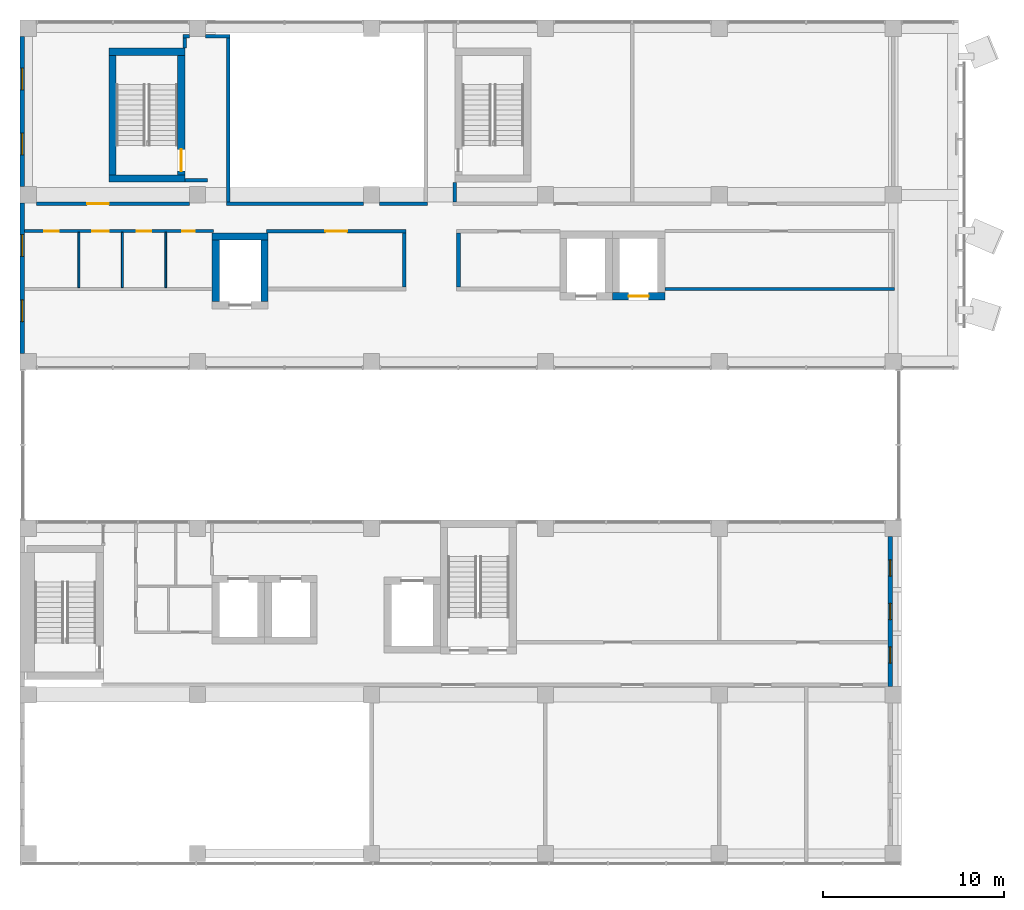
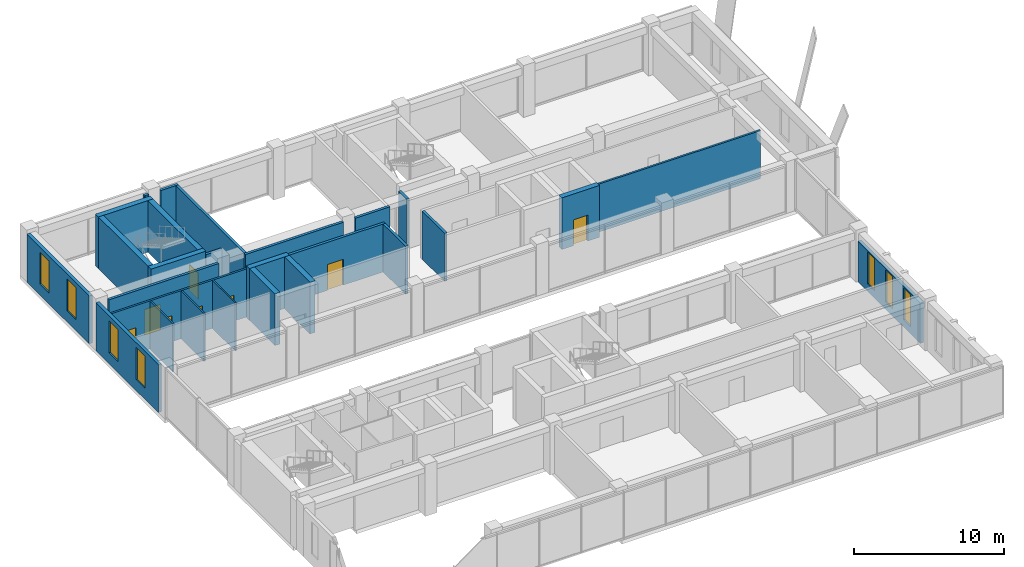
# One storey, part 29 of 37: 28 walls, 8 doors, 7 windows, 15 openings.
"""IFC4 building model written with IfcOpenShell, lengths in metres."""

from ifc_helpers import new_model, si_unit, direction, frame, frame_2d, origin, place, context, subcontext, project, spatial, rectangle, extrude, material, layer, layer_set, layer_usage, type_object, element, fill, save


model = new_model("IFC4")

# Units and contexts
model_context = context("Model", 3, precision=1e-05, world=origin(), true_north=direction((0.0, 1.0)))
body_context = subcontext(model_context, "Body", "Model", "MODEL_VIEW")
ifc_project = project(units=[si_unit("LENGTHUNIT", "METRE"), si_unit("AREAUNIT", "SQUARE_METRE"), si_unit("VOLUMEUNIT", "CUBIC_METRE"), si_unit("PLANEANGLEUNIT", "RADIAN"), si_unit("MASSUNIT", "GRAM", prefix="KILO")], contexts=[model_context])

# Site, building, storey
site_placement = place(None, origin())
site = spatial("IfcSite", under=ifc_project, at=site_placement, CompositionType="ELEMENT")
building_placement = place(site_placement, origin())
building = spatial("IfcBuilding", under=site, at=building_placement, Name="Nzadi Deep Aquarium and Research Tower", CompositionType="ELEMENT")
storey_placement = place(building_placement, frame((0.0, 0.0, 61.300048828125)))
storey = spatial("IfcBuildingStorey", under=building, at=storey_placement, Name="L12", CompositionType="ELEMENT", Elevation=61.300048828125)

# Wall, openings, windows
ifc_material_1 = material(Name="Concrete C35/45", Category="concrete")
ifc_layer_1 = layer(ifc_material_1, 0.14990234375, Category="cladding")
ifc_material_2 = material(Name="Mineral wool insulation")
ifc_layer_2 = layer(ifc_material_2, 0.070068359375, Category="insulation")
ifc_material_3 = material(Name="Gypsum board lining")
ifc_layer_3 = layer(ifc_material_3, 0.030029296875, Category="lining")
ifc_layer_set_1 = layer_set([ifc_layer_1, ifc_layer_2, ifc_layer_3], Name="Concrete C35/45, Mineral wool insulation, Gypsum board lining")
ifc_layer_usage_1 = layer_usage(ifc_layer_set_1, "AXIS2", "POSITIVE", -0.125)
wall_type_1 = type_object("IfcWallType", Name="End wall board-formed concrete 250", PredefinedType="ELEMENTEDWALL", material=ifc_layer_set_1)
wall_1_placement = place(storey_placement, frame((-0.074462890625, 45.550048828125, 0.0), z_axis=(0.0, 0.0, 1.0), x_axis=(0.0, -1.0, 0.0)))
wall_1 = element("IfcWall", 1, at=wall_1_placement, inside=storey, type_object=wall_type_1, material=ifc_layer_usage_1, Name="End wall blade B west L12", PredefinedType="ELEMENTEDWALL", context=body_context, shape_type="SweptSolid", body=[
    extrude(rectangle(XDim=8.300048828125, YDim=0.25, at=frame_2d((4.14990234375, 0.0))), origin(), (0.0, 0.0, 1.0), 3.89990234375),
])
opening_1_placement = place(wall_1_placement, frame((5.35009765625, 0.0, 0.89990234375)))
opening_1 = element("IfcOpeningElement", 2, at=opening_1_placement, cuts=wall_1, Name="Opening WN04", PredefinedType="OPENING", context=body_context, shape_type="SweptSolid", body=[
    extrude(rectangle(XDim=1.199951171875, YDim=2.60009765625, at=frame_2d((0.60009765625, 1.300048828125))), frame((0.0, 0.135009765625, 0.0), z_axis=(0.0, -1.0, 0.0), x_axis=(1.0, 0.0, 0.0)), (0.0, 0.0, 1.0), 0.27001953125),
])
opening_2_placement = place(wall_1_placement, frame((1.75, 0.0, 0.89990234375)))
opening_2 = element("IfcOpeningElement", 3, at=opening_2_placement, cuts=wall_1, Name="Opening WN04", PredefinedType="OPENING", context=body_context, shape_type="SweptSolid", body=[
    extrude(rectangle(XDim=1.199951171875, YDim=2.60009765625, at=frame_2d((0.60009765625, 1.300048828125))), frame((0.0, 0.135009765625, 0.0), z_axis=(0.0, -1.0, 0.0), x_axis=(1.0, 0.0, 0.0)), (0.0, 0.0, 1.0), 0.27001953125),
])
ifc_material_4 = material(Name="Aluminium window, sage tint glazing", Category="aluminium")
window_type_1 = type_object("IfcWindowType", Name="Slot window 1200x2600 sill 900", PartitioningType="SINGLE_PANEL", PredefinedType="WINDOW", material=ifc_material_4)
window_1_placement = place(opening_1_placement, origin())
window_1 = element("IfcWindow", 4, at=window_1_placement, inside=storey, type_object=window_type_1, Name="Slot window L12 BW", OverallHeight=2.60009765625, OverallWidth=1.199951171875, PartitioningType="SINGLE_PANEL", PredefinedType="WINDOW", context=body_context, shape_type="SweptSolid", body=[
    extrude(rectangle(XDim=1.199951171875, YDim=2.60009765625, at=frame_2d((0.60009765625, 1.300048828125))), frame((0.0, 0.030029296875, 0.0), z_axis=(0.0, -1.0, 0.0), x_axis=(1.0, 0.0, 0.0)), (0.0, 0.0, 1.0), 0.06005859375),
])
fill(opening_1, window_1)
window_2_placement = place(opening_2_placement, origin())
window_2 = element("IfcWindow", 5, at=window_2_placement, inside=storey, type_object=window_type_1, Name="Slot window L12 BW", OverallHeight=2.60009765625, OverallWidth=1.199951171875, PartitioningType="SINGLE_PANEL", PredefinedType="WINDOW", context=body_context, shape_type="SweptSolid", body=[
    extrude(rectangle(XDim=1.199951171875, YDim=2.60009765625, at=frame_2d((0.60009765625, 1.300048828125))), frame((0.0, 0.030029296875, 0.0), z_axis=(0.0, -1.0, 0.0), x_axis=(1.0, 0.0, 0.0)), (0.0, 0.0, 1.0), 0.06005859375),
])
fill(opening_2, window_2)

ifc_layer_4 = layer(ifc_material_1, 0.14990234375, Category="cladding")
ifc_layer_5 = layer(ifc_material_2, 0.070068359375, Category="insulation")
ifc_layer_6 = layer(ifc_material_3, 0.030029296875, Category="lining")
ifc_layer_set_2 = layer_set([ifc_layer_4, ifc_layer_5, ifc_layer_6], Name="Concrete C35/45, Mineral wool insulation, Gypsum board lining")
ifc_layer_usage_2 = layer_usage(ifc_layer_set_2, "AXIS2", "POSITIVE", -0.125)
wall_type_2 = type_object("IfcWallType", Name="End wall board-formed concrete 250, 3.30 m high", PredefinedType="ELEMENTEDWALL", material=ifc_layer_set_2)
wall_2_placement = place(storey_placement, frame((47.824951171875, 9.64990234375, 0.0), z_axis=(0.0, 0.0, 1.0), x_axis=(0.0, 1.0, 0.0)))
wall_2 = element("IfcWall", 6, at=wall_2_placement, inside=storey, type_object=wall_type_2, material=ifc_layer_usage_2, Name="End wall blade A east L12", PredefinedType="ELEMENTEDWALL", context=body_context, shape_type="SweptSolid", body=[
    extrude(rectangle(XDim=8.300048828125, YDim=0.25, at=frame_2d((4.14990234375, 0.0))), origin(), (0.0, 0.0, 1.0), 3.300048828125),
])
opening_3_placement = place(wall_2_placement, frame((1.300048828125, 0.0, 0.60009765625)))
opening_3 = element("IfcOpeningElement", 7, at=opening_3_placement, cuts=wall_2, Name="Opening WN03", PredefinedType="OPENING", context=body_context, shape_type="SweptSolid", body=[
    extrude(rectangle(XDim=0.89990234375, YDim=2.60009765625, at=frame_2d((0.449951171875, 1.300048828125))), frame((0.0, 0.135009765625, 0.0), z_axis=(0.0, -1.0, 0.0), x_axis=(1.0, 0.0, 0.0)), (0.0, 0.0, 1.0), 0.27001953125),
])
opening_4_placement = place(wall_2_placement, frame((3.699951171875, 0.0, 0.60009765625)))
opening_4 = element("IfcOpeningElement", 8, at=opening_4_placement, cuts=wall_2, Name="Opening WN03", PredefinedType="OPENING", context=body_context, shape_type="SweptSolid", body=[
    extrude(rectangle(XDim=0.89990234375, YDim=2.60009765625, at=frame_2d((0.449951171875, 1.300048828125))), frame((0.0, 0.135009765625, 0.0), z_axis=(0.0, -1.0, 0.0), x_axis=(1.0, 0.0, 0.0)), (0.0, 0.0, 1.0), 0.27001953125),
])
opening_5_placement = place(wall_2_placement, frame((6.10009765625, 0.0, 0.60009765625)))
opening_5 = element("IfcOpeningElement", 9, at=opening_5_placement, cuts=wall_2, Name="Opening WN03", PredefinedType="OPENING", context=body_context, shape_type="SweptSolid", body=[
    extrude(rectangle(XDim=0.89990234375, YDim=2.60009765625, at=frame_2d((0.449951171875, 1.300048828125))), frame((0.0, 0.135009765625, 0.0), z_axis=(0.0, -1.0, 0.0), x_axis=(1.0, 0.0, 0.0)), (0.0, 0.0, 1.0), 0.27001953125),
])
ifc_material_5 = material(Name="Aluminium window, sage tint glazing", Category="aluminium")
window_type_2 = type_object("IfcWindowType", Name="Slot window 900x2600 sill 600", PartitioningType="SINGLE_PANEL", PredefinedType="WINDOW", material=ifc_material_5)
window_3_placement = place(opening_3_placement, origin())
window_3 = element("IfcWindow", 10, at=window_3_placement, inside=storey, type_object=window_type_2, Name="Slot window L12 AE", OverallHeight=2.60009765625, OverallWidth=0.89990234375, PartitioningType="SINGLE_PANEL", PredefinedType="WINDOW", context=body_context, shape_type="SweptSolid", body=[
    extrude(rectangle(XDim=0.89990234375, YDim=2.60009765625, at=frame_2d((0.449951171875, 1.300048828125))), frame((0.0, 0.030029296875, 0.0), z_axis=(0.0, -1.0, 0.0), x_axis=(1.0, 0.0, 0.0)), (0.0, 0.0, 1.0), 0.06005859375),
])
fill(opening_3, window_3)
window_4_placement = place(opening_4_placement, origin())
window_4 = element("IfcWindow", 11, at=window_4_placement, inside=storey, type_object=window_type_2, Name="Slot window L12 AE", OverallHeight=2.60009765625, OverallWidth=0.89990234375, PartitioningType="SINGLE_PANEL", PredefinedType="WINDOW", context=body_context, shape_type="SweptSolid", body=[
    extrude(rectangle(XDim=0.89990234375, YDim=2.60009765625, at=frame_2d((0.449951171875, 1.300048828125))), frame((0.0, 0.030029296875, 0.0), z_axis=(0.0, -1.0, 0.0), x_axis=(1.0, 0.0, 0.0)), (0.0, 0.0, 1.0), 0.06005859375),
])
fill(opening_4, window_4)
window_5_placement = place(opening_5_placement, origin())
window_5 = element("IfcWindow", 12, at=window_5_placement, inside=storey, type_object=window_type_2, Name="Slot window L12 AE", OverallHeight=2.60009765625, OverallWidth=0.89990234375, PartitioningType="SINGLE_PANEL", PredefinedType="WINDOW", context=body_context, shape_type="SweptSolid", body=[
    extrude(rectangle(XDim=0.89990234375, YDim=2.60009765625, at=frame_2d((0.449951171875, 1.300048828125))), frame((0.0, 0.030029296875, 0.0), z_axis=(0.0, -1.0, 0.0), x_axis=(1.0, 0.0, 0.0)), (0.0, 0.0, 1.0), 0.06005859375),
])
fill(opening_5, window_5)

ifc_material_6 = material(Name="Graphite aluminium shingle", Category="aluminium")
ifc_layer_7 = layer(ifc_material_6, 0.050048828125, Category="cladding")
ifc_layer_8 = layer(ifc_material_1, 0.10009765625, Category="cladding")
ifc_layer_9 = layer(ifc_material_2, 0.070068359375, Category="insulation")
ifc_layer_10 = layer(ifc_material_3, 0.030029296875, Category="lining")
ifc_layer_set_3 = layer_set([ifc_layer_7, ifc_layer_8, ifc_layer_9, ifc_layer_10], Name="Graphite aluminium shingle, Concrete C35/45, Mineral wool insulation, Gypsum board lining")
ifc_layer_usage_3 = layer_usage(ifc_layer_set_3, "AXIS2", "POSITIVE", -0.125)
wall_type_3 = type_object("IfcWallType", Name="End wall shingle over board-formed concrete 250", PredefinedType="ELEMENTEDWALL", material=ifc_layer_set_3)
wall_3_placement = place(storey_placement, frame((-0.074462890625, 36.35009765625, 0.0), z_axis=(0.0, 0.0, 1.0), x_axis=(0.0, -1.0, 0.0)))
wall_3 = element("IfcWall", 13, at=wall_3_placement, inside=storey, type_object=wall_type_3, material=ifc_layer_usage_3, Name="End wall blade B west L12", PredefinedType="ELEMENTEDWALL", context=body_context, shape_type="SweptSolid", body=[
    extrude(rectangle(XDim=8.300048828125, YDim=0.25, at=frame_2d((4.14990234375, 0.0))), origin(), (0.0, 0.0, 1.0), 3.89990234375),
])
opening_6_placement = place(wall_3_placement, frame((5.35009765625, 0.0, 0.89990234375)))
opening_6 = element("IfcOpeningElement", 14, at=opening_6_placement, cuts=wall_3, Name="Opening WN04", PredefinedType="OPENING", context=body_context, shape_type="SweptSolid", body=[
    extrude(rectangle(XDim=1.199951171875, YDim=2.60009765625, at=frame_2d((0.60009765625, 1.300048828125))), frame((0.0, 0.135009765625, 0.0), z_axis=(0.0, -1.0, 0.0), x_axis=(1.0, 0.0, 0.0)), (0.0, 0.0, 1.0), 0.27001953125),
])
opening_7_placement = place(wall_3_placement, frame((1.75, 0.0, 0.89990234375)))
opening_7 = element("IfcOpeningElement", 15, at=opening_7_placement, cuts=wall_3, Name="Opening WN04", PredefinedType="OPENING", context=body_context, shape_type="SweptSolid", body=[
    extrude(rectangle(XDim=1.199951171875, YDim=2.60009765625, at=frame_2d((0.60009765625, 1.300048828125))), frame((0.0, 0.135009765625, 0.0), z_axis=(0.0, -1.0, 0.0), x_axis=(1.0, 0.0, 0.0)), (0.0, 0.0, 1.0), 0.27001953125),
])
window_6_placement = place(opening_6_placement, origin())
window_6 = element("IfcWindow", 16, at=window_6_placement, inside=storey, type_object=window_type_1, Name="Slot window L12 BW", OverallHeight=2.60009765625, OverallWidth=1.199951171875, PartitioningType="SINGLE_PANEL", PredefinedType="WINDOW", context=body_context, shape_type="SweptSolid", body=[
    extrude(rectangle(XDim=1.199951171875, YDim=2.60009765625, at=frame_2d((0.60009765625, 1.300048828125))), frame((0.0, 0.030029296875, 0.0), z_axis=(0.0, -1.0, 0.0), x_axis=(1.0, 0.0, 0.0)), (0.0, 0.0, 1.0), 0.06005859375),
])
fill(opening_6, window_6)
window_7_placement = place(opening_7_placement, origin())
window_7 = element("IfcWindow", 17, at=window_7_placement, inside=storey, type_object=window_type_1, Name="Slot window L12 BW", OverallHeight=2.60009765625, OverallWidth=1.199951171875, PartitioningType="SINGLE_PANEL", PredefinedType="WINDOW", context=body_context, shape_type="SweptSolid", body=[
    extrude(rectangle(XDim=1.199951171875, YDim=2.60009765625, at=frame_2d((0.60009765625, 1.300048828125))), frame((0.0, 0.030029296875, 0.0), z_axis=(0.0, -1.0, 0.0), x_axis=(1.0, 0.0, 0.0)), (0.0, 0.0, 1.0), 0.06005859375),
])
fill(opening_7, window_7)

# Walls
ifc_material_7 = material(Name="Blockwork masonry", Category="masonry")
ifc_layer_11 = layer(ifc_material_7, 0.10009765625)
ifc_layer_set_4 = layer_set([ifc_layer_11], Name="Blockwork masonry")
wall_type_4 = type_object("IfcWallType", Name="Partition 100 EI 30", PredefinedType="PARTITIONING", material=ifc_layer_set_4)
for number, where, z_axis, x_axis, name in (
    (18, (3.050048828125, 31.675048828125, 0.0), (0.0, 0.0, 1.0), (0.0, 1.0, 0.0), "W-Z1-L12-P004"),
    (19, (5.449951171875, 31.675048828125, 0.0), (0.0, 0.0, 1.0), (0.0, 1.0, 0.0), "W-Z1-L12-P007"),
    (20, (7.85009765625, 31.675048828125, 0.0), (0.0, 0.0, 1.0), (0.0, 1.0, 0.0), "W-Z1-L12-P011"),
):
    element("IfcWall", number, at=place(storey_placement, frame(where, z_axis=z_axis, x_axis=x_axis)), inside=storey, type_object=wall_type_4, Name=name, PredefinedType="PARTITIONING", context=body_context, shape_type="SweptSolid", body=[
        extrude(rectangle(XDim=3.050048828125, YDim=0.10009765625, at=frame_2d((1.52490234375, 0.0))), origin(), (0.0, 0.0, 1.0), 3.89990234375),
    ])

# Wall, openings, doors
ifc_material_8 = material(Name="Blockwork masonry", Category="masonry")
ifc_layer_12 = layer(ifc_material_8, 0.14990234375)
ifc_layer_set_5 = layer_set([ifc_layer_12], Name="Blockwork masonry")
wall_type_5 = type_object("IfcWallType", Name="Partition 150 EI 60", PredefinedType="PARTITIONING", material=ifc_layer_set_5)
wall_4_placement = place(storey_placement, frame((0.055908203125, 34.800048828125, 0.0), z_axis=(0.0, 0.0, 1.0), x_axis=(1.0, 0.0, 0.0)))
wall_4 = element("IfcWall", 21, at=wall_4_placement, inside=storey, type_object=wall_type_5, Name="W-Z1-L12-P002", PredefinedType="PARTITIONING", context=body_context, shape_type="SweptSolid", body=[
    extrude(rectangle(XDim=10.419189453125, YDim=0.14990234375, at=frame_2d((5.20947265625, 0.0))), origin(), (0.0, 0.0, 1.0), 3.89990234375),
])
opening_8_placement = place(wall_4_placement, frame((1.093994140625, 0.0, 0.0)))
opening_8 = element("IfcOpeningElement", 22, at=opening_8_placement, cuts=wall_4, Name="Opening D131012", PredefinedType="OPENING", context=body_context, shape_type="SweptSolid", body=[
    extrude(rectangle(XDim=0.800048828125, YDim=2.10009765625, at=frame_2d((0.39990234375, 1.050048828125))), frame((0.0, 0.0849609375, 0.0), z_axis=(0.0, -1.0, 0.0), x_axis=(1.0, 0.0, 0.0)), (0.0, 0.0, 1.0), 0.169921875),
])
opening_9_placement = place(wall_4_placement, frame((3.743896484375, 0.0, 0.0)))
opening_9 = element("IfcOpeningElement", 23, at=opening_9_placement, cuts=wall_4, Name="Opening D131013", PredefinedType="OPENING", context=body_context, shape_type="SweptSolid", body=[
    extrude(rectangle(XDim=0.89990234375, YDim=2.10009765625, at=frame_2d((0.449951171875, 1.050048828125))), frame((0.0, 0.0849609375, 0.0), z_axis=(0.0, -1.0, 0.0), x_axis=(1.0, 0.0, 0.0)), (0.0, 0.0, 1.0), 0.169921875),
])
opening_10_placement = place(wall_4_placement, frame((6.194091796875, 0.0, 0.0)))
opening_10 = element("IfcOpeningElement", 24, at=opening_10_placement, cuts=wall_4, Name="Opening D131014", PredefinedType="OPENING", context=body_context, shape_type="SweptSolid", body=[
    extrude(rectangle(XDim=0.800048828125, YDim=2.10009765625, at=frame_2d((0.39990234375, 1.050048828125))), frame((0.0, 0.0849609375, 0.0), z_axis=(0.0, -1.0, 0.0), x_axis=(1.0, 0.0, 0.0)), (0.0, 0.0, 1.0), 0.169921875),
])
opening_11_placement = place(wall_4_placement, frame((8.694091796875, 0.0, 0.0)))
opening_11 = element("IfcOpeningElement", 25, at=opening_11_placement, cuts=wall_4, Name="Opening D131015", PredefinedType="OPENING", context=body_context, shape_type="SweptSolid", body=[
    extrude(rectangle(XDim=0.699951171875, YDim=2.10009765625, at=frame_2d((0.35009765625, 1.050048828125))), frame((0.0, 0.0849609375, 0.0), z_axis=(0.0, -1.0, 0.0), x_axis=(1.0, 0.0, 0.0)), (0.0, 0.0, 1.0), 0.169921875),
])
ifc_material_9 = material(Name="Fire-rated steel door", Category="steel")
ifc_layer_13 = layer(ifc_material_9, 0.050048828125)
ifc_layer_set_6 = layer_set([ifc_layer_13], Name="Fire-rated steel door")
door_type_1 = type_object("IfcDoorType", Name="Door 700x2100 EI 60 single", OperationType="SINGLE_SWING_LEFT", PredefinedType="DOOR", material=ifc_layer_set_6)
door_1_placement = place(opening_11_placement, origin())
door_1 = element("IfcDoor", 26, at=door_1_placement, inside=storey, type_object=door_type_1, Name="D131015", OperationType="SINGLE_SWING_LEFT", OverallHeight=2.10009765625, OverallWidth=0.699951171875, PredefinedType="DOOR", context=body_context, shape_type="SweptSolid", body=[
    extrude(rectangle(XDim=0.699951171875, YDim=2.10009765625, at=frame_2d((0.35009765625, 1.050048828125))), frame((0.0, 0.02490234375, 0.0), z_axis=(0.0, -1.0, 0.0), x_axis=(1.0, 0.0, 0.0)), (0.0, 0.0, 1.0), 0.050048828125),
])
fill(opening_11, door_1)
ifc_material_10 = material(Name="Fire-rated steel door", Category="steel")
ifc_layer_14 = layer(ifc_material_10, 0.050048828125)
ifc_layer_set_7 = layer_set([ifc_layer_14], Name="Fire-rated steel door")
door_type_2 = type_object("IfcDoorType", Name="Door 800x2100 EI 60 single", OperationType="SINGLE_SWING_LEFT", PredefinedType="DOOR", material=ifc_layer_set_7)
door_2_placement = place(opening_8_placement, origin())
door_2 = element("IfcDoor", 27, at=door_2_placement, inside=storey, type_object=door_type_2, Name="D131012", OperationType="SINGLE_SWING_RIGHT", OverallHeight=2.10009765625, OverallWidth=0.800048828125, PredefinedType="DOOR", context=body_context, shape_type="SweptSolid", body=[
    extrude(rectangle(XDim=0.800048828125, YDim=2.10009765625, at=frame_2d((0.39990234375, 1.050048828125))), frame((0.0, 0.02490234375, 0.0), z_axis=(0.0, -1.0, 0.0), x_axis=(1.0, 0.0, 0.0)), (0.0, 0.0, 1.0), 0.050048828125),
])
fill(opening_8, door_2)
door_3_placement = place(opening_10_placement, origin())
door_3 = element("IfcDoor", 28, at=door_3_placement, inside=storey, type_object=door_type_2, Name="D131014", OperationType="SINGLE_SWING_RIGHT", OverallHeight=2.10009765625, OverallWidth=0.800048828125, PredefinedType="DOOR", context=body_context, shape_type="SweptSolid", body=[
    extrude(rectangle(XDim=0.800048828125, YDim=2.10009765625, at=frame_2d((0.39990234375, 1.050048828125))), frame((0.0, 0.02490234375, 0.0), z_axis=(0.0, -1.0, 0.0), x_axis=(1.0, 0.0, 0.0)), (0.0, 0.0, 1.0), 0.050048828125),
])
fill(opening_10, door_3)
ifc_material_11 = material(Name="Fire-rated steel door", Category="steel")
ifc_layer_15 = layer(ifc_material_11, 0.050048828125)
ifc_layer_set_8 = layer_set([ifc_layer_15], Name="Fire-rated steel door")
door_type_3 = type_object("IfcDoorType", Name="Door 900x2100 EI 60 single", OperationType="SINGLE_SWING_LEFT", PredefinedType="DOOR", material=ifc_layer_set_8)
door_4_placement = place(opening_9_placement, origin())
door_4 = element("IfcDoor", 29, at=door_4_placement, inside=storey, type_object=door_type_3, Name="D131013", OperationType="SINGLE_SWING_LEFT", OverallHeight=2.10009765625, OverallWidth=0.89990234375, PredefinedType="DOOR", context=body_context, shape_type="SweptSolid", body=[
    extrude(rectangle(XDim=0.89990234375, YDim=2.10009765625, at=frame_2d((0.449951171875, 1.050048828125))), frame((0.0, 0.02490234375, 0.0), z_axis=(0.0, -1.0, 0.0), x_axis=(1.0, 0.0, 0.0)), (0.0, 0.0, 1.0), 0.050048828125),
])
fill(opening_9, door_4)

# Wall
wall_5_placement = place(storey_placement, frame((35.406005859375, 31.60009765625, 0.0), z_axis=(0.0, 0.0, 1.0), x_axis=(1.0, 0.0, 0.0)))
element("IfcWall", 30, at=wall_5_placement, inside=storey, type_object=wall_type_5, Name="W-Z1-L12-P037", PredefinedType="PARTITIONING", context=body_context, shape_type="SweptSolid", body=[
    extrude(rectangle(XDim=12.6689453125, YDim=0.14990234375, at=frame_2d((6.33447265625, 0.0))), origin(), (0.0, 0.0, 1.0), 3.89990234375),
])

# Wall, opening, door
ifc_material_12 = material(Name="Blockwork masonry", Category="masonry")
ifc_layer_16 = layer(ifc_material_12, 0.199951171875)
ifc_layer_set_9 = layer_set([ifc_layer_16], Name="Blockwork masonry")
wall_type_6 = type_object("IfcWallType", Name="Partition 200 EI 120", PredefinedType="PARTITIONING", material=ifc_layer_set_9)
wall_6_placement = place(storey_placement, frame((0.699951171875, 36.300048828125, 0.0), z_axis=(0.0, 0.0, 1.0), x_axis=(1.0, 0.0, 0.0)))
wall_6 = element("IfcWall", 31, at=wall_6_placement, inside=storey, type_object=wall_type_6, Name="W-Z1-L12-P003", PredefinedType="PARTITIONING", context=body_context, shape_type="SweptSolid", body=[
    extrude(rectangle(XDim=8.449951171875, YDim=0.199951171875, at=frame_2d((4.22509765625, 0.0))), origin(), (0.0, 0.0, 1.0), 3.89990234375),
])
opening_12_placement = place(wall_6_placement, frame((2.800048828125, 0.0, 0.0)))
opening_12 = element("IfcOpeningElement", 32, at=opening_12_placement, cuts=wall_6, Name="Opening D131019", PredefinedType="OPENING", context=body_context, shape_type="SweptSolid", body=[
    extrude(rectangle(XDim=1.199951171875, YDim=2.10009765625, at=frame_2d((0.60009765625, 1.050048828125))), frame((0.0, 0.110107421875, 0.0), z_axis=(0.0, -1.0, 0.0), x_axis=(1.0, 0.0, 0.0)), (0.0, 0.0, 1.0), 0.22021484375),
])
ifc_material_13 = material(Name="Fire-rated steel door", Category="steel")
ifc_layer_17 = layer(ifc_material_13, 0.050048828125)
ifc_layer_set_10 = layer_set([ifc_layer_17], Name="Fire-rated steel door")
door_type_4 = type_object("IfcDoorType", Name="Door 1200x2100 EI 120 single", OperationType="SINGLE_SWING_LEFT", PredefinedType="DOOR", material=ifc_layer_set_10)
door_5_placement = place(opening_12_placement, origin())
door_5 = element("IfcDoor", 33, at=door_5_placement, inside=storey, type_object=door_type_4, Name="D131019", OperationType="SINGLE_SWING_RIGHT", OverallHeight=2.10009765625, OverallWidth=1.199951171875, PredefinedType="DOOR", context=body_context, shape_type="SweptSolid", body=[
    extrude(rectangle(XDim=1.199951171875, YDim=2.10009765625, at=frame_2d((0.60009765625, 1.050048828125))), frame((0.0, 0.02490234375, 0.0), z_axis=(0.0, -1.0, 0.0), x_axis=(1.0, 0.0, 0.0)), (0.0, 0.0, 1.0), 0.050048828125),
])
fill(opening_12, door_5)

# Walls
wall_7_placement = place(storey_placement, frame((8.89990234375, 44.906005859375, 0.0), z_axis=(0.0, 0.0, 1.0), x_axis=(0.0, 1.0, 0.0)))
element("IfcWall", 34, at=wall_7_placement, inside=storey, type_object=wall_type_6, Name="W-Z1-L12-P014", PredefinedType="PARTITIONING", context=body_context, shape_type="SweptSolid", body=[
    extrude(rectangle(XDim=0.5439453125, YDim=0.199951171875, at=frame_2d((0.27197265625, 0.0))), origin(), (0.0, 0.0, 1.0), 3.89990234375),
])
wall_8_placement = place(storey_placement, frame((8.800048828125, 45.550048828125, 0.0), z_axis=(0.0, 0.0, 1.0), x_axis=(1.0, 0.0, 0.0)))
element("IfcWall", 35, at=wall_8_placement, inside=storey, type_object=wall_type_6, Name="W-Z1-L12-P015", PredefinedType="PARTITIONING", context=body_context, shape_type="SweptSolid", body=[
    extrude(rectangle(XDim=0.349853515625, YDim=0.199951171875, at=frame_2d((0.1748046875, 0.0))), origin(), (0.0, 0.0, 1.0), 3.89990234375),
])
wall_9_placement = place(storey_placement, frame((8.906005859375, 37.60009765625, 0.0), z_axis=(0.0, 0.0, 1.0), x_axis=(1.0, 0.0, 0.0)))
element("IfcWall", 36, at=wall_9_placement, inside=storey, type_object=wall_type_6, Name="W-Z1-L12-P016", PredefinedType="PARTITIONING", context=body_context, shape_type="SweptSolid", body=[
    extrude(rectangle(XDim=1.243896484375, YDim=0.199951171875, at=frame_2d((0.6220703125, 0.0))), origin(), (0.0, 0.0, 1.0), 3.89990234375),
])
wall_10_placement = place(storey_placement, frame((10.050048828125, 45.550048828125, 0.0), z_axis=(0.0, 0.0, 1.0), x_axis=(1.0, 0.0, 0.0)))
element("IfcWall", 37, at=wall_10_placement, inside=storey, type_object=wall_type_6, Name="W-Z1-L12-P017", PredefinedType="PARTITIONING", context=body_context, shape_type="SweptSolid", body=[
    extrude(rectangle(XDim=1.349853515625, YDim=0.199951171875, at=frame_2d((0.6748046875, 0.0))), origin(), (0.0, 0.0, 1.0), 3.89990234375),
])
wall_11_placement = place(storey_placement, frame((11.199951171875, 36.300048828125, 0.0), z_axis=(0.0, 0.0, 1.0), x_axis=(1.0, 0.0, 0.0)))
element("IfcWall", 38, at=wall_11_placement, inside=storey, type_object=wall_type_6, Name="W-Z1-L12-P019", PredefinedType="PARTITIONING", context=body_context, shape_type="SweptSolid", body=[
    extrude(rectangle(XDim=7.550048828125, YDim=0.199951171875, at=frame_2d((3.77490234375, 0.0))), origin(), (0.0, 0.0, 1.0), 3.89990234375),
])
wall_12_placement = place(storey_placement, frame((11.300048828125, 36.39990234375, 0.0), z_axis=(0.0, 0.0, 1.0), x_axis=(0.0, 1.0, 0.0)))
element("IfcWall", 39, at=wall_12_placement, inside=storey, type_object=wall_type_6, Name="W-Z1-L12-P020", PredefinedType="PARTITIONING", context=body_context, shape_type="SweptSolid", body=[
    extrude(rectangle(XDim=9.050048828125, YDim=0.199951171875, at=frame_2d((4.52490234375, 0.0))), origin(), (0.0, 0.0, 1.0), 3.89990234375),
])

# Wall, opening, door
wall_13_placement = place(storey_placement, frame((13.39990234375, 34.800048828125, 0.0), z_axis=(0.0, 0.0, 1.0), x_axis=(1.0, 0.0, 0.0)))
wall_13 = element("IfcWall", 40, at=wall_13_placement, inside=storey, type_object=wall_type_6, Name="W-Z1-L12-P021", PredefinedType="PARTITIONING", context=body_context, shape_type="SweptSolid", body=[
    extrude(rectangle(XDim=7.7001953125, YDim=0.199951171875, at=frame_2d((3.85009765625, 0.0))), origin(), (0.0, 0.0, 1.0), 3.89990234375),
])
opening_13_placement = place(wall_13_placement, frame((3.25, 0.0, 0.0)))
opening_13 = element("IfcOpeningElement", 41, at=opening_13_placement, cuts=wall_13, Name="Opening D131016", PredefinedType="OPENING", context=body_context, shape_type="SweptSolid", body=[
    extrude(rectangle(XDim=1.199951171875, YDim=2.10009765625, at=frame_2d((0.60009765625, 1.050048828125))), frame((0.0, 0.110107421875, 0.0), z_axis=(0.0, -1.0, 0.0), x_axis=(1.0, 0.0, 0.0)), (0.0, 0.0, 1.0), 0.22021484375),
])
door_6_placement = place(opening_13_placement, origin())
door_6 = element("IfcDoor", 42, at=door_6_placement, inside=storey, type_object=door_type_4, Name="D131016", OperationType="SINGLE_SWING_RIGHT", OverallHeight=2.10009765625, OverallWidth=1.199951171875, PredefinedType="DOOR", context=body_context, shape_type="SweptSolid", body=[
    extrude(rectangle(XDim=1.199951171875, YDim=2.10009765625, at=frame_2d((0.60009765625, 1.050048828125))), frame((0.0, 0.02490234375, 0.0), z_axis=(0.0, -1.0, 0.0), x_axis=(1.0, 0.0, 0.0)), (0.0, 0.0, 1.0), 0.050048828125),
])
fill(opening_13, door_6)

# Walls
wall_14_placement = place(storey_placement, frame((19.64990234375, 36.300048828125, 0.0), z_axis=(0.0, 0.0, 1.0), x_axis=(1.0, 0.0, 0.0)))
element("IfcWall", 43, at=wall_14_placement, inside=storey, type_object=wall_type_6, Name="W-Z1-L12-P024", PredefinedType="PARTITIONING", context=body_context, shape_type="SweptSolid", body=[
    extrude(rectangle(XDim=2.650146484375, YDim=0.199951171875, at=frame_2d((1.3251953125, 0.0))), origin(), (0.0, 0.0, 1.0), 3.89990234375),
])
wall_15_placement = place(storey_placement, frame((21.0, 31.699951171875, 0.0), z_axis=(0.0, 0.0, 1.0), x_axis=(0.0, 1.0, 0.0)))
element("IfcWall", 44, at=wall_15_placement, inside=storey, type_object=wall_type_6, Name="W-Z1-L12-P025", PredefinedType="PARTITIONING", context=body_context, shape_type="SweptSolid", body=[
    extrude(rectangle(XDim=3.0, YDim=0.199951171875, at=frame_2d((1.5, 0.0))), origin(), (0.0, 0.0, 1.0), 3.89990234375),
])
wall_16_placement = place(storey_placement, frame((23.800048828125, 36.39990234375, 0.0), z_axis=(0.0, 0.0, 1.0), x_axis=(0.0, 1.0, 0.0)))
element("IfcWall", 45, at=wall_16_placement, inside=storey, type_object=wall_type_6, Name="W-Z1-L12-P028", PredefinedType="PARTITIONING", context=body_context, shape_type="SweptSolid", body=[
    extrude(rectangle(XDim=1.093994140625, YDim=0.199951171875, at=frame_2d((0.546875, 0.0))), origin(), (0.0, 0.0, 1.0), 3.89990234375),
])
wall_17_placement = place(storey_placement, frame((24.0, 31.699951171875, 0.0), z_axis=(0.0, 0.0, 1.0), x_axis=(0.0, 1.0, 0.0)))
element("IfcWall", 46, at=wall_17_placement, inside=storey, type_object=wall_type_6, Name="W-Z1-L12-P031", PredefinedType="PARTITIONING", context=body_context, shape_type="SweptSolid", body=[
    extrude(rectangle(XDim=3.0, YDim=0.199951171875, at=frame_2d((1.5, 0.0))), origin(), (0.0, 0.0, 1.0), 3.89990234375),
])
ifc_material_14 = material(Name="Concrete C35/45", Category="concrete")
ifc_layer_18 = layer(ifc_material_14, 0.39990234375)
ifc_layer_set_11 = layer_set([ifc_layer_18], Name="Concrete C35/45")
wall_type_7 = type_object("IfcWallType", Name="RC core wall 400", PredefinedType="SHEAR", material=ifc_layer_set_11)
for number, where, z_axis, x_axis, name in (
    (47, (4.699951171875, 37.699951171875, 0.0), (0.0, 0.0, 1.0), (1.0, 0.0, 0.0), "W-CORE-ST-Z1-NW-L12-S"),
    (48, (4.699951171875, 44.699951171875, 0.0), (0.0, 0.0, 1.0), (1.0, 0.0, 0.0), "W-CORE-ST-Z1-NW-L12-N"),
):
    element("IfcWall", number, at=place(storey_placement, frame(where, z_axis=z_axis, x_axis=x_axis)), inside=storey, type_object=wall_type_7, Name=name, PredefinedType="SHEAR", context=body_context, shape_type="SweptSolid", body=[
        extrude(rectangle(XDim=4.199951171875, YDim=0.39990234375, at=frame_2d((2.10009765625, 0.0))), origin(), (0.0, 0.0, 1.0), 4.199951171875),
    ])
wall_18_placement = place(storey_placement, frame((4.89990234375, 37.89990234375, 0.0), z_axis=(0.0, 0.0, 1.0), x_axis=(0.0, 1.0, 0.0)))
element("IfcWall", 49, at=wall_18_placement, inside=storey, type_object=wall_type_7, Name="W-CORE-ST-Z1-NW-L12-W", PredefinedType="SHEAR", context=body_context, shape_type="SweptSolid", body=[
    extrude(rectangle(XDim=6.60009765625, YDim=0.39990234375, at=frame_2d((3.300048828125, 0.0))), origin(), (0.0, 0.0, 1.0), 4.199951171875),
])

# Wall, opening, door
wall_19_placement = place(storey_placement, frame((8.699951171875, 37.89990234375, 0.0), z_axis=(0.0, 0.0, 1.0), x_axis=(0.0, 1.0, 0.0)))
wall_19 = element("IfcWall", 50, at=wall_19_placement, inside=storey, type_object=wall_type_7, Name="W-CORE-ST-Z1-NW-L12-E", PredefinedType="SHEAR", context=body_context, shape_type="SweptSolid", body=[
    extrude(rectangle(XDim=6.60009765625, YDim=0.39990234375, at=frame_2d((3.300048828125, 0.0))), origin(), (0.0, 0.0, 1.0), 4.199951171875),
])
opening_14_placement = place(wall_19_placement, frame((0.2099609375, 0.0, 0.0)))
opening_14 = element("IfcOpeningElement", 51, at=opening_14_placement, cuts=wall_19, Name="Opening DS-Z1-NW-L12", PredefinedType="OPENING", context=body_context, shape_type="SweptSolid", body=[
    extrude(rectangle(XDim=1.199951171875, YDim=2.10009765625, at=frame_2d((0.60009765625, 1.050048828125))), frame((0.0, 0.2099609375, 0.0), z_axis=(0.0, -1.0, 0.0), x_axis=(1.0, 0.0, 0.0)), (0.0, 0.0, 1.0), 0.419921875),
])
ifc_material_15 = material(Name="Steel, powder coated", Category="steel")
door_type_5 = type_object("IfcDoorType", Name="STAIR DOOR 1200x2100 EI 60", OperationType="SINGLE_SWING_LEFT", PredefinedType="DOOR", material=ifc_material_15)
door_7_placement = place(opening_14_placement, origin())
door_7 = element("IfcDoor", 52, at=door_7_placement, inside=storey, type_object=door_type_5, Name="Stair door ST-Z1-NW L12", OperationType="SINGLE_SWING_RIGHT", OverallHeight=2.10009765625, OverallWidth=1.199951171875, PredefinedType="DOOR", context=body_context, shape_type="SweptSolid", body=[
    extrude(rectangle(XDim=1.199951171875, YDim=2.10009765625, at=frame_2d((0.60009765625, 1.050048828125))), frame((0.0, 0.02490234375, 0.0), z_axis=(0.0, -1.0, 0.0), x_axis=(1.0, 0.0, 0.0)), (0.0, 0.0, 1.0), 0.050048828125),
])
fill(opening_14, door_7)

# Walls
wall_20_placement = place(storey_placement, frame((10.39990234375, 34.5, 0.0), z_axis=(0.0, 0.0, 1.0), x_axis=(1.0, 0.0, 0.0)))
element("IfcWall", 53, at=wall_20_placement, inside=storey, type_object=wall_type_7, Name="W-CORE-FL2-L12-N", PredefinedType="SHEAR", context=body_context, shape_type="SweptSolid", body=[
    extrude(rectangle(XDim=3.10009765625, YDim=0.39990234375, at=frame_2d((1.550048828125, 0.0))), origin(), (0.0, 0.0, 1.0), 4.199951171875),
])
for number, where, z_axis, x_axis, name in (
    (54, (10.60009765625, 30.89990234375, 0.0), (0.0, 0.0, 1.0), (0.0, 1.0, 0.0), "W-CORE-FL2-L12-W"),
    (55, (13.300048828125, 30.89990234375, 0.0), (0.0, 0.0, 1.0), (0.0, 1.0, 0.0), "W-CORE-FL2-L12-E"),
):
    element("IfcWall", number, at=place(storey_placement, frame(where, z_axis=z_axis, x_axis=x_axis)), inside=storey, type_object=wall_type_7, Name=name, PredefinedType="SHEAR", context=body_context, shape_type="SweptSolid", body=[
        extrude(rectangle(XDim=3.400146484375, YDim=0.39990234375, at=frame_2d((1.7001953125, 0.0))), origin(), (0.0, 0.0, 1.0), 4.199951171875),
    ])

# Wall, opening, door
wall_21_placement = place(storey_placement, frame((32.5, 31.199951171875, 0.0), z_axis=(0.0, 0.0, 1.0), x_axis=(1.0, 0.0, 0.0)))
wall_21 = element("IfcWall", 56, at=wall_21_placement, inside=storey, type_object=wall_type_7, Name="W-CORE-TL4-L12-S", PredefinedType="SHEAR", context=body_context, shape_type="SweptSolid", body=[
    extrude(rectangle(XDim=2.89990234375, YDim=0.39990234375, at=frame_2d((1.449951171875, 0.0))), origin(), (0.0, 0.0, 1.0), 4.199951171875),
])
opening_15_placement = place(wall_21_placement, frame((0.89990234375, 0.0, 0.0)))
opening_15 = element("IfcOpeningElement", 57, at=opening_15_placement, cuts=wall_21, Name="Opening LD-TL4-L12", PredefinedType="OPENING", context=body_context, shape_type="SweptSolid", body=[
    extrude(rectangle(XDim=1.10009765625, YDim=2.10009765625, at=frame_2d((0.550048828125, 1.050048828125))), frame((0.0, 0.2099609375, 0.0), z_axis=(0.0, -1.0, 0.0), x_axis=(1.0, 0.0, 0.0)), (0.0, 0.0, 1.0), 0.419921875),
])
ifc_material_16 = material(Name="Stainless steel 1.4301", Category="steel")
door_type_6 = type_object("IfcDoorType", Name="LANDING DOOR 1100x2100", OperationType="DOUBLE_DOOR_SLIDING", PredefinedType="DOOR", material=ifc_material_16)
door_8_placement = place(opening_15_placement, origin())
door_8 = element("IfcDoor", 58, at=door_8_placement, inside=storey, type_object=door_type_6, Name="Landing door TL4 L12", OperationType="DOUBLE_DOOR_SLIDING", OverallHeight=2.10009765625, OverallWidth=1.10009765625, PredefinedType="DOOR", context=body_context, shape_type="SweptSolid", body=[
    extrude(rectangle(XDim=1.10009765625, YDim=2.10009765625, at=frame_2d((0.550048828125, 1.050048828125))), frame((0.0, 0.02490234375, 0.0), z_axis=(0.0, -1.0, 0.0), x_axis=(1.0, 0.0, 0.0)), (0.0, 0.0, 1.0), 0.050048828125),
])
fill(opening_15, door_8)

save(model, "model.ifc")
